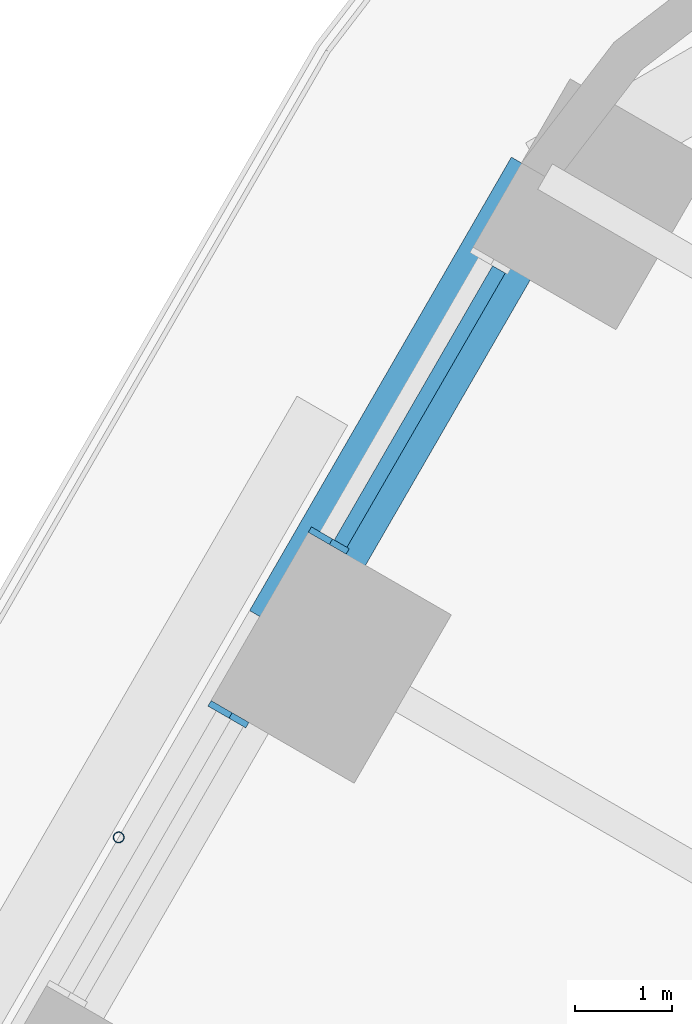
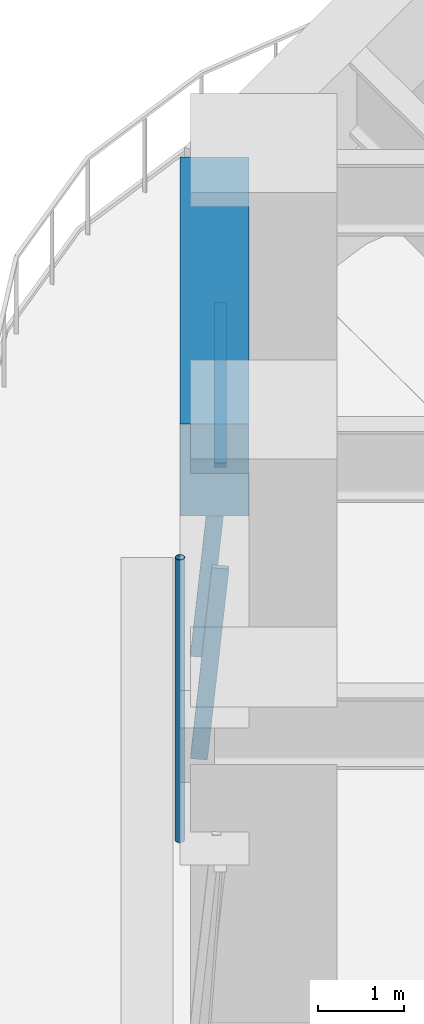
# One storey, part 9 of 24: 4 members, 1 beam, 2 elements without a shape of their own.
"""IFC4 building model written with IfcOpenShell, lengths in metres."""

from ifc_helpers import new_model, si_unit, direction, frame, origin, origin_2d, place, context, subcontext, project, spatial, rectangle, hollow_circle, extrude, material, material_profile, profile_set, type_object, element, aggregate, save


model = new_model("IFC4")

# Units and contexts
model_context = context("Model", 3, precision=1e-05, world=origin(), true_north=direction((0.0, 1.0)))
body_context = subcontext(model_context, "Body", "Model", "MODEL_VIEW")
ifc_project = project(units=[si_unit("LENGTHUNIT", "METRE"), si_unit("AREAUNIT", "SQUARE_METRE"), si_unit("VOLUMEUNIT", "CUBIC_METRE"), si_unit("PLANEANGLEUNIT", "RADIAN"), si_unit("MASSUNIT", "GRAM", prefix="KILO")], contexts=[model_context])

# Site, building, storey
site_placement = place(None, origin())
site = spatial("IfcSite", under=ifc_project, at=site_placement, CompositionType="ELEMENT")
building_placement = place(site_placement, origin())
building = spatial("IfcBuilding", under=site, at=building_placement, Name="Tarfa Lantern Tower", CompositionType="ELEMENT")
storey_placement = place(building_placement, frame((0.0, 0.0, 73.89990234375)))
storey = spatial("IfcBuildingStorey", under=building, at=storey_placement, Name="L16", CompositionType="ELEMENT", Elevation=73.89990234375)

# Curtain wall, member
ifc_material_1 = material(Name="Aluminium framed curtain wall", Category="aluminium")
curtain_wall_type = type_object("IfcCurtainWallType", Name="CW1 CANTED GLAZING LOW ZONE 2700", PredefinedType="USERDEFINED", material=ifc_material_1)
curtain_wall_1_placement = place(storey_placement, origin())
curtain_wall_1 = element("IfcCurtainWall", 1, at=curtain_wall_1_placement, inside=storey, type_object=curtain_wall_type, Name="CW1 NW L16", ObjectType="CURTAIN WALL", PredefinedType="USERDEFINED")
ifc_material_2 = material(Name="Aluminium mullion", Category="aluminium")
ifc_material_profile_1 = material_profile(ifc_material_2, rectangle(XDim=0.06494140625, YDim=0.199951171875, at=origin_2d()), Name="AL MULLION 65x200")
ifc_profile_set_1 = profile_set([ifc_material_profile_1], Name="Aluminium mullion")
member_type_1 = type_object("IfcMemberType", Name="CWM1 MULLION 65x200", PredefinedType="MULLION", material=ifc_profile_set_1)
member_1_placement = place(storey_placement, frame((-23.453369140625, 27.177490234375, 0.0), z_axis=(0.079857261722, -0.046095736191, 0.995739926314), x_axis=(0.499919672301, 0.866071776036, 0.0)))
member_1 = element("IfcMember", 2, at=member_1_placement, type_object=member_type_1, Name="CW1 mullion 2", PredefinedType="MULLION", context=body_context, shape_type="SweptSolid", body=[
    extrude(rectangle(XDim=0.06494140625, YDim=0.199951171875, at=origin_2d()), origin(), (0.0, 0.0, 1.0), 2.711669921875),
])

curtain_wall_2_placement = place(storey_placement, origin())
curtain_wall_2 = element("IfcCurtainWall", 3, at=curtain_wall_2_placement, inside=storey, type_object=curtain_wall_type, Name="CW1 NW L16", ObjectType="CURTAIN WALL", PredefinedType="USERDEFINED")
member_2_placement = place(storey_placement, frame((-24.48583984375, 25.38916015625, 0.0), z_axis=(0.079857261722, -0.046095736191, 0.995739926314), x_axis=(0.499919672301, 0.866071776036, 0.0)))
member_2 = element("IfcMember", 4, at=member_2_placement, type_object=member_type_1, Name="CW1 mullion 1", PredefinedType="MULLION", context=body_context, shape_type="SweptSolid", body=[
    extrude(rectangle(XDim=0.06494140625, YDim=0.199951171875, at=origin_2d()), origin(), (0.0, 0.0, 1.0), 2.711669921875),
])
aggregate(curtain_wall_2, [member_2])

# Member
ifc_material_3 = material(Name="Aluminium transom", Category="aluminium")
ifc_material_profile_2 = material_profile(ifc_material_3, rectangle(XDim=0.14990234375, YDim=0.06494140625, at=origin_2d()), Name="AL TRANSOM 150x65")
ifc_profile_set_2 = profile_set([ifc_material_profile_2], Name="Aluminium transom")
member_type_2 = type_object("IfcMemberType", Name="CWT1 TRANSOM 150x65", PredefinedType="USERDEFINED", material=ifc_profile_set_2)
member_3_placement = place(storey_placement, frame((-21.593994140625, 29.904296875, 2.66748046875), z_axis=(-0.499966746847, -0.86604460165, 0.0), x_axis=(0.86604460165, -0.499966746847, 0.0)))
member_3 = element("IfcMember", 5, at=member_3_placement, type_object=member_type_2, Name="CW1 transom 1.2", ObjectType="TRANSOM", PredefinedType="USERDEFINED", context=body_context, shape_type="SweptSolid", body=[
    extrude(rectangle(XDim=0.14990234375, YDim=0.06494140625, at=origin_2d()), origin(), (0.0, 0.0, 1.0), 3.258544921875),
])

aggregate(curtain_wall_1, [member_1, member_3])

# Beam
ifc_material_4 = material(Name="Concrete C80/95", Category="concrete")
ifc_material_profile_3 = material_profile(ifc_material_4, rectangle(XDim=0.800048828125, YDim=1.300048828125, at=origin_2d()), Name="RC 800x1300")
ifc_profile_set_3 = profile_set([ifc_material_profile_3], Name="Concrete C80/95")
beam_type = type_object("IfcBeamType", Name="EB1 RC 800x1300", PredefinedType="SPANDREL", material=ifc_profile_set_3)
beam_placement = place(storey_placement, frame((-21.119384765625, 30.860107421875, 3.35009765625), z_axis=(-0.499998287579, -0.866026392449, 0.0), x_axis=(0.866026392449, -0.499998287579, 0.0)))
element("IfcBeam", 6, at=beam_placement, inside=storey, type_object=beam_type, Name="Edge beam NW0", PredefinedType="SPANDREL", context=body_context, shape_type="SweptSolid", body=[
    extrude(rectangle(XDim=0.800048828125, YDim=1.300048828125, at=origin_2d()), origin(), (0.0, 0.0, 1.0), 5.388671875),
])

# Member
ifc_material_5 = material(Name="Steel S355", Category="steel")
ifc_material_profile_4 = material_profile(ifc_material_5, hollow_circle(Radius=0.05712890625, WallThickness=0.00634765625, at=origin_2d()), Name="CHS114.3x6.3")
ifc_profile_set_4 = profile_set([ifc_material_profile_4], Name="Steel S355")
member_type_3 = type_object("IfcMemberType", Name="TR1 GREEN WALL TRELLIS CHS114.3x6.3", PredefinedType="USERDEFINED", material=ifc_profile_set_4)
member_4_placement = place(storey_placement, frame((-25.50732421875, 24.06005859375, 0.0), z_axis=(0.0, 0.0, 1.0), x_axis=(1.0, 0.0, 0.0)))
element("IfcMember", 7, at=member_4_placement, inside=storey, type_object=member_type_3, Name="Trellis post NW 1", ObjectType="TRELLIS", PredefinedType="USERDEFINED", context=body_context, shape_type="SweptSolid", body=[
    extrude(hollow_circle(Radius=0.05712890625, WallThickness=0.00634765625, at=origin_2d()), origin(), (0.0, 0.0, 1.0), 4.0),
])

save(model, "model.ifc")
